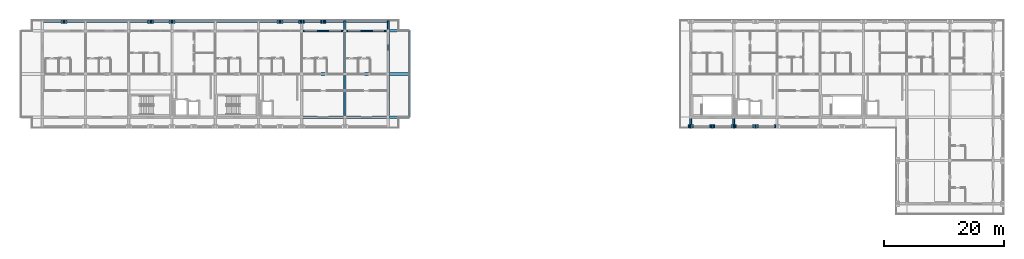
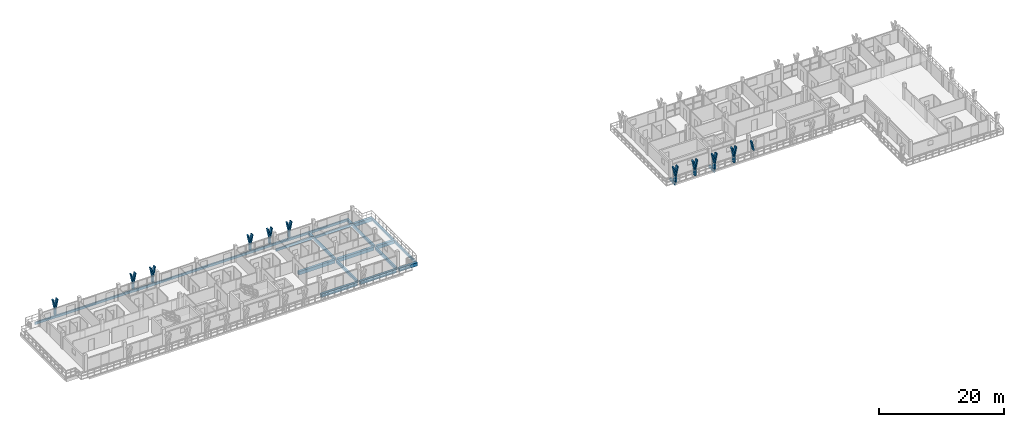
# One storey, part 7 of 32: 31 members, 20 beams.
"""IFC4 building model written with IfcOpenShell, lengths in metres."""

from ifc_helpers import new_model, si_unit, direction, frame, origin, origin_2d, place, context, subcontext, project, spatial, rectangle, extrude, material, material_profile, profile_set, type_object, element, save


model = new_model("IFC4")

# Units and contexts
model_context = context("Model", 3, precision=1e-05, world=origin(), true_north=direction((0.0, 1.0)))
body_context = subcontext(model_context, "Body", "Model", "MODEL_VIEW")
ifc_project = project(units=[si_unit("LENGTHUNIT", "METRE"), si_unit("AREAUNIT", "SQUARE_METRE"), si_unit("VOLUMEUNIT", "CUBIC_METRE"), si_unit("PLANEANGLEUNIT", "RADIAN"), si_unit("MASSUNIT", "GRAM", prefix="KILO")], contexts=[model_context])

# Site, building, storey
site_placement = place(None, origin())
site = spatial("IfcSite", under=ifc_project, at=site_placement, CompositionType="ELEMENT")
building_placement = place(site_placement, origin())
building = spatial("IfcBuilding", under=site, at=building_placement, Name="Suanplinth Sawtooth Commons", CompositionType="ELEMENT")
storey_placement = place(building_placement, frame((0.0, 0.0, 41.199951171875)))
storey = spatial("IfcBuildingStorey", under=building, at=storey_placement, Name="L12", CompositionType="ELEMENT", Elevation=41.199951171875)

# Beams
ifc_material_1 = material(Name="Precast concrete C40/50", Category="concrete")
ifc_material_profile_1 = material_profile(ifc_material_1, rectangle(XDim=0.449951171875, YDim=0.64990234375, at=origin_2d()), Name="PC-GDR 450x650")
ifc_profile_set_1 = profile_set([ifc_material_profile_1], Name="Precast concrete C40/50")
beam_type_1 = type_object("IfcBeamType", Name="B-04", PredefinedType="USERDEFINED", material=ifc_profile_set_1)
for number, where, z_axis, x_axis, name in (
    (1, (72.25, 108.0, -0.534912109375), (1.0, 0.0, 0.0), (0.0, 1.0, 0.0), "BMX-L12-A-10-15"),
    (2, (72.25, 115.199951171875, -0.534912109375), (1.0, 0.0, 0.0), (0.0, 1.0, 0.0), "BMX-L12-A-10-16"),
    (3, (79.449951171875, 108.0, -0.534912109375), (1.0, 0.0, 0.0), (0.0, 1.0, 0.0), "BMX-L12-A-11-15"),
    (4, (79.449951171875, 115.199951171875, -0.534912109375), (1.0, 0.0, 0.0), (0.0, 1.0, 0.0), "BMX-L12-A-11-16"),
):
    element("IfcBeam", number, at=place(storey_placement, frame(where, z_axis=z_axis, x_axis=x_axis)), inside=storey, type_object=beam_type_1, Name=name, ObjectType="GIRDER", PredefinedType="USERDEFINED", context=body_context, shape_type="SweptSolid", body=[
        extrude(rectangle(XDim=0.449951171875, YDim=0.64990234375, at=origin_2d()), origin(), (0.0, 0.0, 1.0), 6.699951171875),
    ])
for number, where, z_axis, x_axis, name in (
    (5, (86.64990234375, 108.0, -0.534912109375), (1.0, 0.0, 0.0), (0.0, 1.0, 0.0), "BMX-L12-A-ECANT-15"),
    (6, (86.64990234375, 115.199951171875, -0.534912109375), (1.0, 0.0, 0.0), (0.0, 1.0, 0.0), "BMX-L12-A-ECANT-16"),
    (7, (86.64990234375, 122.39990234375, -0.534912109375), (1.0, 0.0, 0.0), (0.0, 1.0, 0.0), "BMX-L12-A-ECANT-17"),
):
    element("IfcBeam", number, at=place(storey_placement, frame(where, z_axis=z_axis, x_axis=x_axis)), inside=storey, type_object=beam_type_1, Name=name, ObjectType="GIRDER", PredefinedType="USERDEFINED", context=body_context, shape_type="SweptSolid", body=[
        extrude(rectangle(XDim=0.449951171875, YDim=0.64990234375, at=origin_2d()), origin(), (0.0, 0.0, 1.0), 3.35009765625),
    ])
ifc_material_profile_2 = material_profile(ifc_material_1, rectangle(XDim=0.300048828125, YDim=0.5, at=origin_2d()), Name="PC-BM 300x500")
ifc_profile_set_2 = profile_set([ifc_material_profile_2], Name="Precast concrete C40/50")
beam_type_2 = type_object("IfcBeamType", Name="B-07", PredefinedType="BEAM", material=ifc_profile_set_2)
for number, where, z_axis, x_axis, name in (
    (8, (79.199951171875, 108.25, -0.4599609375), (0.0, 1.0, 0.0), (-1.0, 0.0, 0.0), "BMY-L12-A-11-15"),
    (9, (79.199951171875, 115.449951171875, -0.4599609375), (0.0, 1.0, 0.0), (-1.0, 0.0, 0.0), "BMY-L12-A-11-16"),
    (10, (86.39990234375, 108.25, -0.4599609375), (0.0, 1.0, 0.0), (-1.0, 0.0, 0.0), "BMY-L12-A-12-15"),
    (11, (86.39990234375, 115.449951171875, -0.4599609375), (0.0, 1.0, 0.0), (-1.0, 0.0, 0.0), "BMY-L12-A-12-16"),
):
    element("IfcBeam", number, at=place(storey_placement, frame(where, z_axis=z_axis, x_axis=x_axis)), inside=storey, type_object=beam_type_2, Name=name, PredefinedType="BEAM", context=body_context, shape_type="SweptSolid", body=[
        extrude(rectangle(XDim=0.300048828125, YDim=0.5, at=origin_2d()), origin(), (0.0, 0.0, 1.0), 6.699951171875),
    ])
for number, where, z_axis, x_axis, name in (
    (12, (79.199951171875, 122.39990234375, -0.429931640625), (0.0, 1.0, 0.0), (-1.0, 0.0, 0.0), "Balcony Outrigger L12-A-N-11"),
    (13, (86.39990234375, 122.39990234375, -0.429931640625), (0.0, 1.0, 0.0), (-1.0, 0.0, 0.0), "Balcony Outrigger L12-A-N-12"),
):
    element("IfcBeam", number, at=place(storey_placement, frame(where, z_axis=z_axis, x_axis=x_axis)), inside=storey, type_object=beam_type_2, Name=name, PredefinedType="BEAM", context=body_context, shape_type="SweptSolid", body=[
        extrude(rectangle(XDim=0.300048828125, YDim=0.5, at=origin_2d()), origin(), (0.0, 0.0, 1.0), 1.64013671875),
    ])
for number, where, z_axis, x_axis, name in (
    (14, (136.800048828125, 108.0, -0.425048828125), (0.0, -1.0, 0.0), (1.0, 0.0, 0.0), "Balcony Outrigger L12-B-SC-19"),
    (15, (144.0, 108.0, -0.425048828125), (0.0, -1.0, 0.0), (1.0, 0.0, 0.0), "Balcony Outrigger L12-B-SC-20"),
):
    element("IfcBeam", number, at=place(storey_placement, frame(where, z_axis=z_axis, x_axis=x_axis)), inside=storey, type_object=beam_type_2, Name=name, PredefinedType="BEAM", context=body_context, shape_type="SweptSolid", body=[
        extrude(rectangle(XDim=0.300048828125, YDim=0.5, at=origin_2d()), origin(), (0.0, 0.0, 1.0), 1.639892578125),
    ])
ifc_material_profile_3 = material_profile(ifc_material_1, rectangle(XDim=0.25, YDim=0.449951171875, at=origin_2d()), Name="PC-SP 250x450")
ifc_profile_set_3 = profile_set([ifc_material_profile_3], Name="Precast concrete C40/50")
beam_type_3 = type_object("IfcBeamType", Name="B-09", PredefinedType="SPANDREL", material=ifc_profile_set_3)
for number, where, z_axis, x_axis, name in (
    (16, (72.25, 122.39990234375, -0.43505859375), (1.0, 0.0, 0.0), (0.0, 1.0, 0.0), "BMX-L12-A-10-17"),
    (17, (79.449951171875, 122.39990234375, -0.43505859375), (1.0, 0.0, 0.0), (0.0, 1.0, 0.0), "BMX-L12-A-11-17"),
):
    element("IfcBeam", number, at=place(storey_placement, frame(where, z_axis=z_axis, x_axis=x_axis)), inside=storey, type_object=beam_type_3, Name=name, PredefinedType="SPANDREL", context=body_context, shape_type="SweptSolid", body=[
        extrude(rectangle(XDim=0.25, YDim=0.449951171875, at=origin_2d()), origin(), (0.0, 0.0, 1.0), 6.699951171875),
    ])
beam_1_placement = place(storey_placement, frame((90.0, 108.139892578125, -0.534912109375), z_axis=(0.0, 1.0, 0.0), x_axis=(-1.0, 0.0, 0.0)))
element("IfcBeam", 18, at=beam_1_placement, inside=storey, type_object=beam_type_3, Name="BMY-L12-A-STEP-900-15", PredefinedType="SPANDREL", context=body_context, shape_type="SweptSolid", body=[
    extrude(rectangle(XDim=0.25, YDim=0.449951171875, at=origin_2d()), origin(), (0.0, 0.0, 1.0), 6.980224609375),
])
beam_2_placement = place(storey_placement, frame((90.0, 115.340087890625, -0.534912109375), z_axis=(0.0, 1.0, 0.0), x_axis=(-1.0, 0.0, 0.0)))
element("IfcBeam", 19, at=beam_2_placement, inside=storey, type_object=beam_type_3, Name="BMY-L12-A-STEP-900-16", PredefinedType="SPANDREL", context=body_context, shape_type="SweptSolid", body=[
    extrude(rectangle(XDim=0.25, YDim=0.449951171875, at=origin_2d()), origin(), (0.0, 0.0, 1.0), 6.97998046875),
])
beam_3_placement = place(storey_placement, frame((28.64990234375, 123.919921875, -0.405029296875), z_axis=(1.0, 0.0, 0.0), x_axis=(0.0, 1.0, 0.0)))
element("IfcBeam", 20, at=beam_3_placement, inside=storey, type_object=beam_type_3, Name="Balcony Edge Fascia L12-A-N", PredefinedType="SPANDREL", context=body_context, shape_type="SweptSolid", body=[
    extrude(rectangle(XDim=0.25, YDim=0.449951171875, at=origin_2d()), origin(), (0.0, 0.0, 1.0), 57.900146484375),
])

# Members
ifc_material_2 = material(Name="Pigmented precast concrete C40/50", Category="concrete")
ifc_material_profile_4 = material_profile(ifc_material_2, rectangle(XDim=0.260009765625, YDim=0.550048828125, at=origin_2d()), Name="PC-FIN 260x550")
ifc_profile_set_4 = profile_set([ifc_material_profile_4], Name="Pigmented precast concrete C40/50")
member_type_1 = type_object("IfcMemberType", Name="M-09", PredefinedType="USERDEFINED", material=ifc_profile_set_4)
for number, where, z_axis, x_axis, name in (
    (21, (32.39990234375, 123.919921875, 0.0), (0.0, 0.0, 1.0), (1.0, 0.0, 0.0), "Y-Blade Stem L12-A-N-01"),
    (22, (46.800048828125, 123.919921875, 0.0), (0.0, 0.0, 1.0), (1.0, 0.0, 0.0), "Y-Blade Stem L12-A-N-02"),
    (23, (50.39990234375, 123.919921875, 0.0), (0.0, 0.0, 1.0), (1.0, 0.0, 0.0), "Y-Blade Stem L12-A-N-03"),
    (24, (68.39990234375, 123.919921875, 0.0), (0.0, 0.0, 1.0), (1.0, 0.0, 0.0), "Y-Blade Stem L12-A-N-04"),
    (25, (72.0, 123.919921875, 0.0), (0.0, 0.0, 1.0), (1.0, 0.0, 0.0), "Y-Blade Stem L12-A-N-05"),
    (26, (75.60009765625, 123.919921875, 0.0), (0.0, 0.0, 1.0), (1.0, 0.0, 0.0), "Y-Blade Stem L12-A-N-06"),
    (27, (136.800048828125, 106.47998046875, 0.0), (0.0, 0.0, 1.0), (1.0, 0.0, 0.0), "Y-Blade Stem L12-B-SC-14"),
    (28, (140.39990234375, 106.47998046875, 0.0), (0.0, 0.0, 1.0), (1.0, 0.0, 0.0), "Y-Blade Stem L12-B-SC-15"),
    (29, (144.0, 106.47998046875, 0.0), (0.0, 0.0, 1.0), (1.0, 0.0, 0.0), "Y-Blade Stem L12-B-SC-16"),
    (30, (147.60009765625, 106.47998046875, 0.0), (0.0, 0.0, 1.0), (1.0, 0.0, 0.0), "Y-Blade Stem L12-B-SC-17"),
):
    element("IfcMember", number, at=place(storey_placement, frame(where, z_axis=z_axis, x_axis=x_axis)), inside=storey, type_object=member_type_1, Name=name, ObjectType="SHADING FIN", PredefinedType="USERDEFINED", context=body_context, shape_type="SweptSolid", body=[
        extrude(rectangle(XDim=0.260009765625, YDim=0.550048828125, at=origin_2d()), origin(), (0.0, 0.0, 1.0), 1.170166015625),
    ])
ifc_material_profile_5 = material_profile(ifc_material_2, rectangle(XDim=0.219970703125, YDim=0.550048828125, at=origin_2d()), Name="PC-FIN 220x550")
ifc_profile_set_5 = profile_set([ifc_material_profile_5], Name="Pigmented precast concrete C40/50")
member_type_2 = type_object("IfcMemberType", Name="M-10", PredefinedType="USERDEFINED", material=ifc_profile_set_5)
member_1_placement = place(storey_placement, frame((32.39990234375, 123.919921875, 1.130126953125), z_axis=(-0.196309979414, 0.0, 0.980541886909), x_axis=(0.980541886909, 0.0, 0.196309979414)))
element("IfcMember", 31, at=member_1_placement, inside=storey, type_object=member_type_2, Name="Y-Blade Arm L L12-A-N-01", ObjectType="SHADING FIN", PredefinedType="USERDEFINED", context=body_context, shape_type="SweptSolid", body=[
    extrude(rectangle(XDim=0.219970703125, YDim=0.550048828125, at=origin_2d()), origin(), (0.0, 0.0, 1.0), 1.9375),
])
for number, where, z_axis, x_axis, name in (
    (32, (32.39990234375, 123.919921875, 1.130126953125), (0.196431120402, 0.0, 0.980517626021), (-0.980517626021, 0.0, 0.196431120402), "Y-Blade Arm R L12-A-N-01"),
    (33, (46.800048828125, 123.919921875, 1.130126953125), (-0.196431120402, 0.0, 0.980517626021), (0.980517626021, 0.0, 0.196431120402), "Y-Blade Arm L L12-A-N-02"),
):
    element("IfcMember", number, at=place(storey_placement, frame(where, z_axis=z_axis, x_axis=x_axis)), inside=storey, type_object=member_type_2, Name=name, ObjectType="SHADING FIN", PredefinedType="USERDEFINED", context=body_context, shape_type="SweptSolid", body=[
        extrude(rectangle(XDim=0.219970703125, YDim=0.550048828125, at=origin_2d()), origin(), (0.0, 0.0, 1.0), 1.937744140625),
    ])
for number, where, z_axis, x_axis, name in (
    (34, (46.800048828125, 123.919921875, 1.130126953125), (0.196309979414, 0.0, 0.980541886909), (-0.980541886909, 0.0, 0.196309979414), "Y-Blade Arm R L12-A-N-02"),
    (35, (50.39990234375, 123.919921875, 1.130126953125), (-0.196309979414, 0.0, 0.980541886909), (0.980541886909, 0.0, 0.196309979414), "Y-Blade Arm L L12-A-N-03"),
):
    element("IfcMember", number, at=place(storey_placement, frame(where, z_axis=z_axis, x_axis=x_axis)), inside=storey, type_object=member_type_2, Name=name, ObjectType="SHADING FIN", PredefinedType="USERDEFINED", context=body_context, shape_type="SweptSolid", body=[
        extrude(rectangle(XDim=0.219970703125, YDim=0.550048828125, at=origin_2d()), origin(), (0.0, 0.0, 1.0), 1.9375),
    ])
member_2_placement = place(storey_placement, frame((50.39990234375, 123.919921875, 1.130126953125), z_axis=(0.196431120402, 0.0, 0.980517626021), x_axis=(-0.980517626021, 0.0, 0.196431120402)))
element("IfcMember", 36, at=member_2_placement, inside=storey, type_object=member_type_2, Name="Y-Blade Arm R L12-A-N-03", ObjectType="SHADING FIN", PredefinedType="USERDEFINED", context=body_context, shape_type="SweptSolid", body=[
    extrude(rectangle(XDim=0.219970703125, YDim=0.550048828125, at=origin_2d()), origin(), (0.0, 0.0, 1.0), 1.937744140625),
])
member_3_placement = place(storey_placement, frame((68.39990234375, 123.919921875, 1.130126953125), z_axis=(-0.196309979414, 0.0, 0.980541886909), x_axis=(0.980541886909, 0.0, 0.196309979414)))
element("IfcMember", 37, at=member_3_placement, inside=storey, type_object=member_type_2, Name="Y-Blade Arm L L12-A-N-04", ObjectType="SHADING FIN", PredefinedType="USERDEFINED", context=body_context, shape_type="SweptSolid", body=[
    extrude(rectangle(XDim=0.219970703125, YDim=0.550048828125, at=origin_2d()), origin(), (0.0, 0.0, 1.0), 1.9375),
])
for number, where, z_axis, x_axis, name in (
    (38, (68.39990234375, 123.919921875, 1.130126953125), (0.196431120402, 0.0, 0.980517626021), (-0.980517626021, 0.0, 0.196431120402), "Y-Blade Arm R L12-A-N-04"),
    (39, (72.0, 123.919921875, 1.130126953125), (-0.196431120402, 0.0, 0.980517626021), (0.980517626021, 0.0, 0.196431120402), "Y-Blade Arm L L12-A-N-05"),
    (40, (72.0, 123.919921875, 1.130126953125), (0.196431120402, 0.0, 0.980517626021), (-0.980517626021, 0.0, 0.196431120402), "Y-Blade Arm R L12-A-N-05"),
    (41, (75.60009765625, 123.919921875, 1.130126953125), (-0.196431120402, 0.0, 0.980517626021), (0.980517626021, 0.0, 0.196431120402), "Y-Blade Arm L L12-A-N-06"),
):
    element("IfcMember", number, at=place(storey_placement, frame(where, z_axis=z_axis, x_axis=x_axis)), inside=storey, type_object=member_type_2, Name=name, ObjectType="SHADING FIN", PredefinedType="USERDEFINED", context=body_context, shape_type="SweptSolid", body=[
        extrude(rectangle(XDim=0.219970703125, YDim=0.550048828125, at=origin_2d()), origin(), (0.0, 0.0, 1.0), 1.937744140625),
    ])
member_4_placement = place(storey_placement, frame((75.60009765625, 123.919921875, 1.130126953125), z_axis=(0.196309979414, 0.0, 0.980541886909), x_axis=(-0.980541886909, 0.0, 0.196309979414)))
element("IfcMember", 42, at=member_4_placement, inside=storey, type_object=member_type_2, Name="Y-Blade Arm R L12-A-N-06", ObjectType="SHADING FIN", PredefinedType="USERDEFINED", context=body_context, shape_type="SweptSolid", body=[
    extrude(rectangle(XDim=0.219970703125, YDim=0.550048828125, at=origin_2d()), origin(), (0.0, 0.0, 1.0), 1.9375),
])
for number, where, z_axis, x_axis, name in (
    (43, (136.800048828125, 106.47998046875, 1.130126953125), (-0.196216224008, 0.0, 0.980560652604), (0.980560652604, 0.0, 0.196216224008), "Y-Blade Arm L L12-B-SC-14"),
    (44, (136.800048828125, 106.47998046875, 1.130126953125), (0.196216224008, 0.0, 0.980560652604), (-0.980560652604, 0.0, 0.196216224008), "Y-Blade Arm R L12-B-SC-14"),
    (45, (140.39990234375, 106.47998046875, 1.130126953125), (-0.196216224008, 0.0, 0.980560652604), (0.980560652604, 0.0, 0.196216224008), "Y-Blade Arm L L12-B-SC-15"),
):
    element("IfcMember", number, at=place(storey_placement, frame(where, z_axis=z_axis, x_axis=x_axis)), inside=storey, type_object=member_type_2, Name=name, ObjectType="SHADING FIN", PredefinedType="USERDEFINED", context=body_context, shape_type="SweptSolid", body=[
        extrude(rectangle(XDim=0.219970703125, YDim=0.550048828125, at=origin_2d()), origin(), (0.0, 0.0, 1.0), 1.876220703125),
    ])
member_5_placement = place(storey_placement, frame((140.39990234375, 106.47998046875, 1.130126953125), z_axis=(0.196341326472, 0.0, 0.980535610531), x_axis=(-0.980535610531, 0.0, 0.196341326472)))
element("IfcMember", 46, at=member_5_placement, inside=storey, type_object=member_type_2, Name="Y-Blade Arm R L12-B-SC-15", ObjectType="SHADING FIN", PredefinedType="USERDEFINED", context=body_context, shape_type="SweptSolid", body=[
    extrude(rectangle(XDim=0.219970703125, YDim=0.550048828125, at=origin_2d()), origin(), (0.0, 0.0, 1.0), 1.87646484375),
])
for number, where, z_axis, x_axis, name in (
    (47, (144.0, 106.47998046875, 1.130126953125), (-0.196216224008, 0.0, 0.980560652604), (0.980560652604, 0.0, 0.196216224008), "Y-Blade Arm L L12-B-SC-16"),
    (48, (144.0, 106.47998046875, 1.130126953125), (0.196216224008, 0.0, 0.980560652604), (-0.980560652604, 0.0, 0.196216224008), "Y-Blade Arm R L12-B-SC-16"),
):
    element("IfcMember", number, at=place(storey_placement, frame(where, z_axis=z_axis, x_axis=x_axis)), inside=storey, type_object=member_type_2, Name=name, ObjectType="SHADING FIN", PredefinedType="USERDEFINED", context=body_context, shape_type="SweptSolid", body=[
        extrude(rectangle(XDim=0.219970703125, YDim=0.550048828125, at=origin_2d()), origin(), (0.0, 0.0, 1.0), 1.876220703125),
    ])
member_6_placement = place(storey_placement, frame((147.60009765625, 106.47998046875, 1.130126953125), z_axis=(-0.196341326472, 0.0, 0.980535610531), x_axis=(0.980535610531, 0.0, 0.196341326472)))
element("IfcMember", 49, at=member_6_placement, inside=storey, type_object=member_type_2, Name="Y-Blade Arm L L12-B-SC-17", ObjectType="SHADING FIN", PredefinedType="USERDEFINED", context=body_context, shape_type="SweptSolid", body=[
    extrude(rectangle(XDim=0.219970703125, YDim=0.550048828125, at=origin_2d()), origin(), (0.0, 0.0, 1.0), 1.87646484375),
])
for number, where, z_axis, x_axis, name in (
    (50, (147.60009765625, 106.47998046875, 1.130126953125), (0.196216224008, 0.0, 0.980560652604), (-0.980560652604, 0.0, 0.196216224008), "Y-Blade Arm R L12-B-SC-17"),
    (51, (151.199951171875, 106.47998046875, 1.130126953125), (-0.196216224008, 0.0, 0.980560652604), (0.980560652604, 0.0, 0.196216224008), "Y-Blade Arm L L12-B-SC-18"),
):
    element("IfcMember", number, at=place(storey_placement, frame(where, z_axis=z_axis, x_axis=x_axis)), inside=storey, type_object=member_type_2, Name=name, ObjectType="SHADING FIN", PredefinedType="USERDEFINED", context=body_context, shape_type="SweptSolid", body=[
        extrude(rectangle(XDim=0.219970703125, YDim=0.550048828125, at=origin_2d()), origin(), (0.0, 0.0, 1.0), 1.876220703125),
    ])

save(model, "model.ifc")
